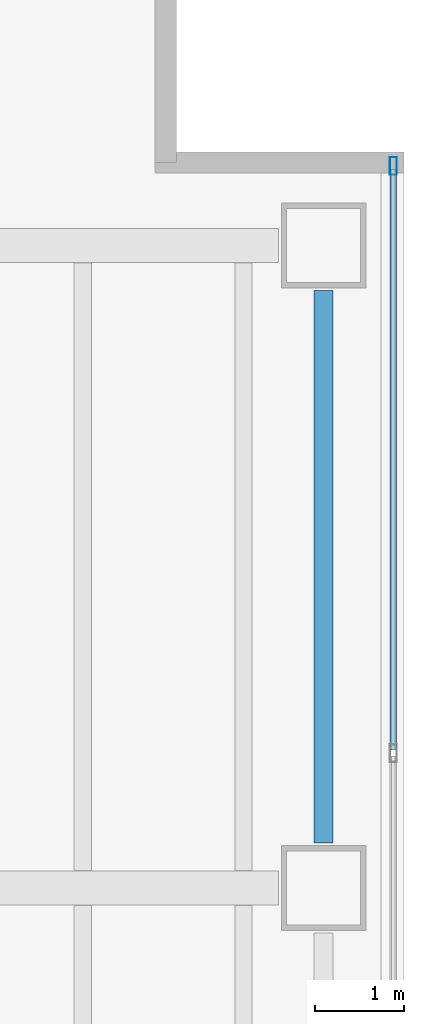
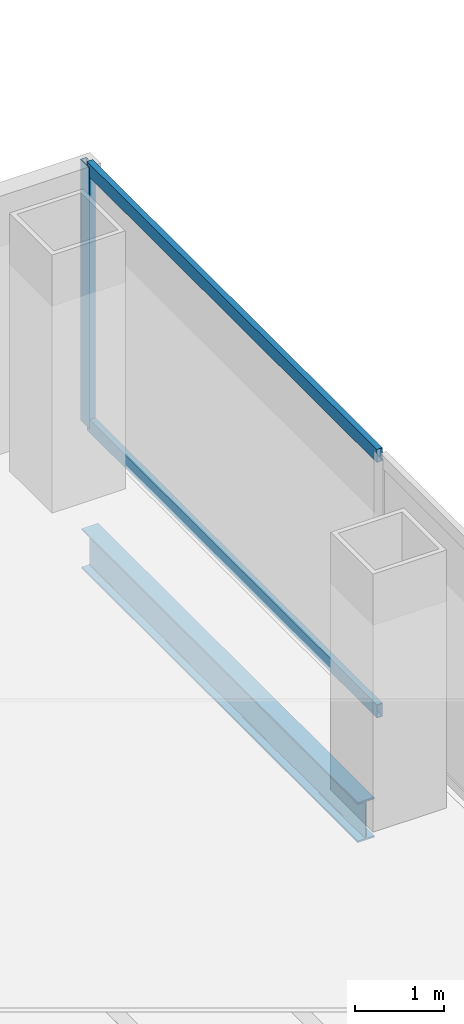
# One storey, part 13 of 24: 3 members, 1 beam, 1 element without a shape of its own.
"""IFC4 building model written with IfcOpenShell, lengths in metres."""

import ifcopenshell
import ifcopenshell.guid

model = None  # the IFC model being written
_history = None  # IfcOwnerHistory: only IFC2X3 demands one
_inside = {}  # id of a spatial element -> (the spatial element, [elements in it])
_under = {}  # id of a project, library or spatial element -> (it, [spatial elements below it])
_declared = {}  # id of a project -> (the project, [libraries it declares])
_typed = {}  # id of a type object -> (the type object, [elements of that type])
_made_of = {}  # id of a material, layer set ... -> (it, [elements and type objects made of it])


def new_model(schema):
    """Start an empty IFC model of exactly this schema.

    Asked for "IFC4X3", IfcOpenShell would pick the latest addendum, in which some entities
    have other attributes; the version numbers below select the first issue.
    IFC2X3 requires an IfcOwnerHistory on every rooted entity: one is made here for all.
    """
    global model, _history
    if schema == "IFC4X3":
        model = ifcopenshell.file(schema_version=(4, 3, 0, 0))
    else:
        model = ifcopenshell.file(schema=schema)
    _inside.clear()
    _under.clear()
    _declared.clear()
    _typed.clear()
    _made_of.clear()
    _history = None
    if model.schema == "IFC2X3":
        org = make("IfcOrganization", Name="unknown")
        user = make(
            "IfcPersonAndOrganization",
            ThePerson=make("IfcPerson", FamilyName="unknown"),
            TheOrganization=org,
        )
        app = make(
            "IfcApplication",
            ApplicationDeveloper=org,
            Version="unknown",
            ApplicationFullName="unknown",
            ApplicationIdentifier="unknown",
        )
        _history = make(
            "IfcOwnerHistory",
            OwningUser=user,
            OwningApplication=app,
            ChangeAction="ADDED",
            CreationDate=0,
        )
    return model


def make(cls, **values):
    """One entity of the class cls with the attributes given. An attribute that is None is left unset."""
    return model.create_entity(
        cls, **{name: value for name, value in values.items() if value is not None}
    )


def rooted(cls, **values):
    """An entity with a GlobalId (a new one), such as an element, a storey or a relation."""
    return make(cls, GlobalId=ifcopenshell.guid.new(), OwnerHistory=_history, **values)


def si_unit(unit_type, name, prefix=None):
    """IfcSIUnit, for example si_unit("LENGTHUNIT", "METRE", prefix="MILLI")."""
    return make("IfcSIUnit", UnitType=unit_type, Prefix=prefix, Name=name)


def assignment(units):
    """IfcUnitAssignment: the units of a project."""
    return None if units is None else make("IfcUnitAssignment", Units=units)


def point(xyz):
    """IfcCartesianPoint."""
    return None if xyz is None else make("IfcCartesianPoint", Coordinates=xyz)


def direction(xyz):
    """IfcDirection."""
    return None if xyz is None else make("IfcDirection", DirectionRatios=xyz)


def frame(location, z_axis=None, x_axis=None):
    """IfcAxis2Placement3D, a coordinate frame: its origin and axes. An axis left out is left unset."""
    return make(
        "IfcAxis2Placement3D",
        Location=point(location),
        Axis=direction(z_axis),
        RefDirection=direction(x_axis),
    )


def frame_2d(location, x_axis=None):
    """IfcAxis2Placement2D, a coordinate frame in the plane: its origin and x axis."""
    return make(
        "IfcAxis2Placement2D", Location=point(location), RefDirection=direction(x_axis)
    )


def origin():
    """The frame at (0, 0, 0) with its axes left unset."""
    return frame((0.0, 0.0, 0.0))


def origin_2d():
    """The frame at (0, 0) in the plane with its x axis left unset."""
    return frame_2d((0.0, 0.0))


def place(relative_to, where):
    """IfcLocalPlacement: puts the frame where relative to a parent placement (None: the world)."""
    return make(
        "IfcLocalPlacement", PlacementRelTo=relative_to, RelativePlacement=where
    )


def context(
    kind, dimensions, precision=None, world=None, true_north=None, identifier=None
):
    """IfcGeometricRepresentationContext, for example the 3D "Model" context."""
    return make(
        "IfcGeometricRepresentationContext",
        ContextIdentifier=identifier,
        ContextType=kind,
        CoordinateSpaceDimension=dimensions,
        Precision=precision,
        WorldCoordinateSystem=world,
        TrueNorth=true_north,
    )


def subcontext(parent, identifier, kind, view, scale=None):
    """IfcGeometricRepresentationSubContext, for example "Body" below "Model"."""
    return make(
        "IfcGeometricRepresentationSubContext",
        ContextIdentifier=identifier,
        ContextType=kind,
        ParentContext=parent,
        TargetScale=scale,
        TargetView=view,
    )


def project(units=None, contexts=None):
    """IfcProject with its units and contexts."""
    return rooted(
        "IfcProject",
        Name="project",
        RepresentationContexts=contexts,
        UnitsInContext=assignment(units),
    )


def spatial(cls, under=None, at=None, **own):
    """A site, building, storey or space (cls), placed at a placement, below another one or the project."""
    s = rooted(cls, ObjectPlacement=at, **own)
    if under is not None:
        _under.setdefault(under.id(), (under, []))[1].append(s)
    return s


def profile(cls, at=None, kind="AREA", **sizes):
    """A parametric profile (cls). Its sizes go by their IFC names, for example OverallWidth=200.0."""
    return make(cls, ProfileType=kind, Position=at, **sizes)


def hollow_rectangle(**sizes):
    """IfcRectangleHollowProfileDef."""
    return profile("IfcRectangleHollowProfileDef", **sizes)


def i_section(**sizes):
    """IfcIShapeProfileDef."""
    return profile("IfcIShapeProfileDef", **sizes)


def extrude(swept, where, along, depth):
    """IfcExtrudedAreaSolid: the profile swept, set in the frame where, extruded along a direction by depth."""
    return make(
        "IfcExtrudedAreaSolid",
        SweptArea=swept,
        Position=where,
        ExtrudedDirection=direction(along),
        Depth=depth,
    )


def shape(context_of_items, identifier, shape_type, items):
    """IfcShapeRepresentation: the items that make up one representation, for example the "Body"."""
    return make(
        "IfcShapeRepresentation",
        ContextOfItems=context_of_items,
        RepresentationIdentifier=identifier,
        RepresentationType=shape_type,
        Items=items,
    )


def material(Name=None, Category=None):
    """IfcMaterial."""
    return make("IfcMaterial", Name=Name, Category=Category)


def material_profile(
    of_material, cross_section, Name=None, Category=None, Priority=None
):
    """IfcMaterialProfile: a cross section and its material."""
    return make(
        "IfcMaterialProfile",
        Name=Name,
        Material=of_material,
        Profile=cross_section,
        Priority=Priority,
        Category=Category,
    )


def profile_set(profiles, Name=None, composite=None):
    """IfcMaterialProfileSet."""
    return make(
        "IfcMaterialProfileSet",
        Name=Name,
        MaterialProfiles=profiles,
        CompositeProfile=composite,
    )


def made_of(thing, what):
    """Note that an element or type object is made of a material, layer set ...; save() writes the relation."""
    if what is not None:
        _made_of.setdefault(what.id(), (what, []))[1].append(thing)
    return thing


def type_object(cls, material=None, **own):
    """A type object (cls), such as IfcWallType, which elements share."""
    return made_of(rooted(cls, **own), material)


def element(
    cls,
    number,
    at=None,
    inside=None,
    cuts=None,
    type_object=None,
    material=None,
    context=None,
    identifier="Body",
    shape_type=None,
    held_by="IfcProductDefinitionShape",
    body=None,
    shapes=None,
    **own,
):
    """One element of the class cls, such as IfcWall. Its Tag is "e" and its number.

    at: its placement. inside: the storey or other place that contains it. cuts: it is an
    opening in that element (IfcRelVoidsElement). A single representation is given by context,
    identifier, shape_type and body (its items); several are given by shapes. held_by: the class
    of the entity that holds the representations. save() writes the other relations.
    """
    e = rooted(cls, Tag="e%d" % number, ObjectPlacement=at, **own)
    if body is not None:
        shapes = [shape(context, identifier, shape_type, body)]
    if shapes is not None:
        e.Representation = make(held_by, Representations=shapes)
    if inside is not None:
        _inside.setdefault(inside.id(), (inside, []))[1].append(e)
    if cuts is not None:
        rooted(
            "IfcRelVoidsElement", RelatingBuildingElement=cuts, RelatedOpeningElement=e
        )
    if type_object is not None:
        _typed.setdefault(type_object.id(), (type_object, []))[1].append(e)
    return made_of(e, material)


def aggregate(whole, parts):
    """IfcRelAggregates: a whole, such as a stair, and the parts it consists of."""
    return rooted("IfcRelAggregates", RelatingObject=whole, RelatedObjects=parts)


def save(model, path):
    """Write the relations noted so far, then the file.

    IfcRelAggregates (storeys below a building ...), IfcRelContainedInSpatialStructure (elements
    in a storey), IfcRelDefinesByType, IfcRelAssociatesMaterial and IfcRelDeclares: one each for
    every whole, place, type object, material and project.
    """
    for whole, parts in _under.values():
        aggregate(whole, parts)
    for where, things in _inside.values():
        rooted(
            "IfcRelContainedInSpatialStructure",
            RelatedElements=things,
            RelatingStructure=where,
        )
    for kind, things in _typed.values():
        rooted("IfcRelDefinesByType", RelatedObjects=things, RelatingType=kind)
    for what, things in _made_of.values():
        rooted("IfcRelAssociatesMaterial", RelatedObjects=things, RelatingMaterial=what)
    for by, libraries in _declared.values():
        rooted("IfcRelDeclares", RelatingContext=by, RelatedDefinitions=libraries)
    model.write(path)


model = new_model("IFC4")

# Units and contexts
model_context = context("Model", 3, precision=1e-05, world=origin(), true_north=direction((0.0, 1.0)))
body_context = subcontext(model_context, "Body", "Model", "MODEL_VIEW")
ifc_project = project(units=[si_unit("LENGTHUNIT", "METRE"), si_unit("AREAUNIT", "SQUARE_METRE"), si_unit("VOLUMEUNIT", "CUBIC_METRE"), si_unit("PLANEANGLEUNIT", "RADIAN"), si_unit("MASSUNIT", "GRAM", prefix="KILO")], contexts=[model_context])

# Site, building, storey
site_placement = place(None, origin())
site = spatial("IfcSite", under=ifc_project, at=site_placement, CompositionType="ELEMENT")
building_placement = place(site_placement, origin())
building = spatial("IfcBuilding", under=site, at=building_placement, Name="Cobrela Telecom Tower", CompositionType="ELEMENT")
storey_placement = place(building_placement, frame((0.0, 0.0, 77.35009765625)))
storey = spatial("IfcBuildingStorey", under=building, at=storey_placement, Name="L19", CompositionType="ELEMENT", Elevation=77.35009765625)

# Beam
ifc_material_1 = material(Name="Steel ASTM A992 Grade 50", Category="steel")
ifc_material_profile_1 = material_profile(ifc_material_1, i_section(OverallWidth=0.212890625, OverallDepth=0.549072265625, WebThickness=0.0146484375, FlangeThickness=0.023681640625, FilletRadius=0.013916015625, at=origin_2d()), Name="W21X93")
ifc_profile_set_1 = profile_set([ifc_material_profile_1], Name="Steel ASTM A992 Grade 50")
beam_type = type_object("IfcBeamType", Name="BM-SPAND-03", PredefinedType="SPANDREL", material=ifc_profile_set_1)
beam_placement = place(storey_placement, frame((49.5, 14.905029296875, -0.5546875), z_axis=(0.0, 1.0, 0.0), x_axis=(-1.0, 0.0, 0.0)))
element("IfcBeam", 1, at=beam_placement, inside=storey, type_object=beam_type, Name="L19 Perimeter Spandrel Y57", PredefinedType="SPANDREL", context=body_context, shape_type="SweptSolid", body=[
    extrude(i_section(OverallWidth=0.212890625, OverallDepth=0.549072265625, WebThickness=0.0146484375, FlangeThickness=0.023681640625, FilletRadius=0.013916015625, at=origin_2d()), origin(), (0.0, 0.0, 1.0), 6.18994140625),
])

# Curtain wall, members
ifc_material_2 = material(Name="Anodized Bronze Aluminium 6063-T6", Category="aluminium")
curtain_wall_type = type_object("IfcCurtainWallType", Name="CW-SYS-DATA", PredefinedType="USERDEFINED", material=ifc_material_2)
curtain_wall_placement = place(storey_placement, origin())
curtain_wall = element("IfcCurtainWall", 2, at=curtain_wall_placement, inside=storey, type_object=curtain_wall_type, Name="L19 Unitised Bronze Curtain Wall 14", ObjectType="UNITISED CURTAIN WALL", PredefinedType="USERDEFINED")
ifc_material_profile_2 = material_profile(ifc_material_2, hollow_rectangle(XDim=0.080078125, YDim=0.199951171875, WallThickness=0.00390625, at=origin_2d()), Name="ALU 80x200x4")
ifc_profile_set_2 = profile_set([ifc_material_profile_2], Name="Anodized Bronze Aluminium 6063-T6")
member_type_1 = type_object("IfcMemberType", Name="CW-SYS-DATA-MUL", PredefinedType="MULLION", material=ifc_profile_set_2)
member_1_placement = place(storey_placement, frame((50.280029296875, 22.489990234375, 0.0), z_axis=(0.0, 0.0, 1.0), x_axis=(1.0, 0.0, 0.0)))
member_1 = element("IfcMember", 3, at=member_1_placement, type_object=member_type_1, Name="CW-DATA mullion 1", PredefinedType="MULLION", context=body_context, shape_type="SweptSolid", body=[
    extrude(hollow_rectangle(XDim=0.080078125, YDim=0.199951171875, WallThickness=0.00390625, at=origin_2d()), origin(), (0.0, 0.0, 1.0), 3.56982421875),
])
ifc_material_profile_3 = material_profile(ifc_material_2, hollow_rectangle(XDim=0.074951171875, YDim=0.179931640625, WallThickness=0.00390625, at=origin_2d()), Name="ALU 75x180x4")
ifc_profile_set_3 = profile_set([ifc_material_profile_3], Name="Anodized Bronze Aluminium 6063-T6")
member_type_2 = type_object("IfcMemberType", Name="CW-SYS-DATA-TRN", PredefinedType="USERDEFINED", material=ifc_profile_set_3)
member_2_placement = place(storey_placement, frame((50.280029296875, 22.449951171875, 0.037353515625), z_axis=(0.0, -1.0, 0.0), x_axis=(1.0, 0.0, 0.0)))
member_2 = element("IfcMember", 4, at=member_2_placement, type_object=member_type_2, Name="CW-DATA transom 1.1", ObjectType="TRANSOM", PredefinedType="USERDEFINED", context=body_context, shape_type="SweptSolid", body=[
    extrude(hollow_rectangle(XDim=0.074951171875, YDim=0.179931640625, WallThickness=0.00390625, at=origin_2d()), origin(), (0.0, 0.0, 1.0), 6.5),
])
member_3_placement = place(storey_placement, frame((50.280029296875, 22.449951171875, 3.532470703125), z_axis=(0.0, -1.0, 0.0), x_axis=(1.0, 0.0, 0.0)))
member_3 = element("IfcMember", 5, at=member_3_placement, type_object=member_type_2, Name="CW-DATA transom 1.2", ObjectType="TRANSOM", PredefinedType="USERDEFINED", context=body_context, shape_type="SweptSolid", body=[
    extrude(hollow_rectangle(XDim=0.074951171875, YDim=0.179931640625, WallThickness=0.00390625, at=origin_2d()), origin(), (0.0, 0.0, 1.0), 6.5),
])
aggregate(curtain_wall, [member_1, member_2, member_3])

save(model, "model.ifc")
